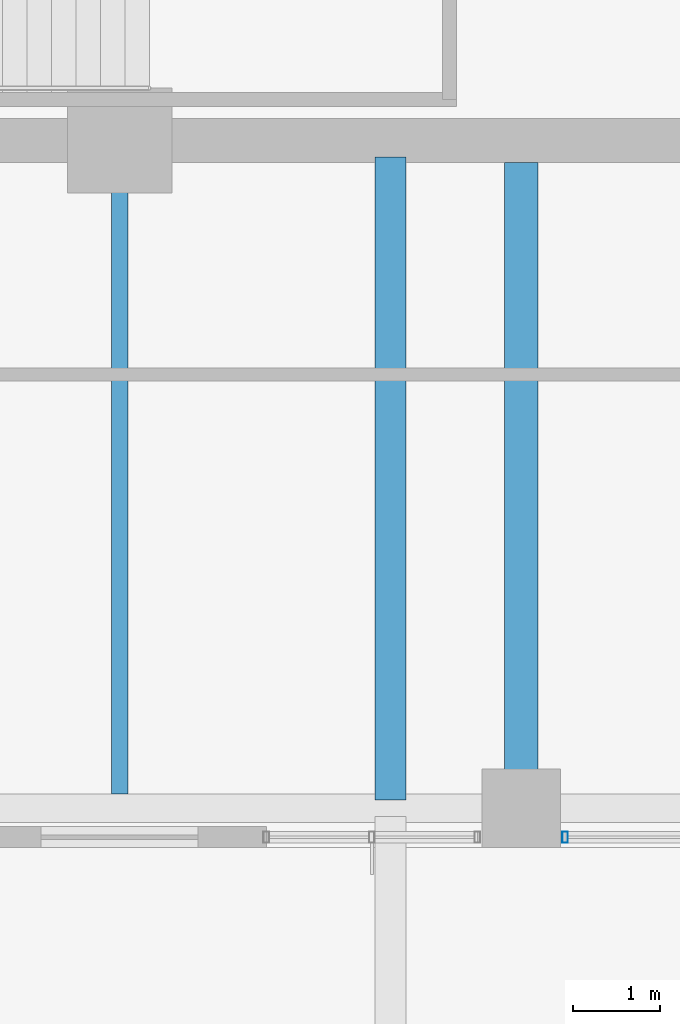
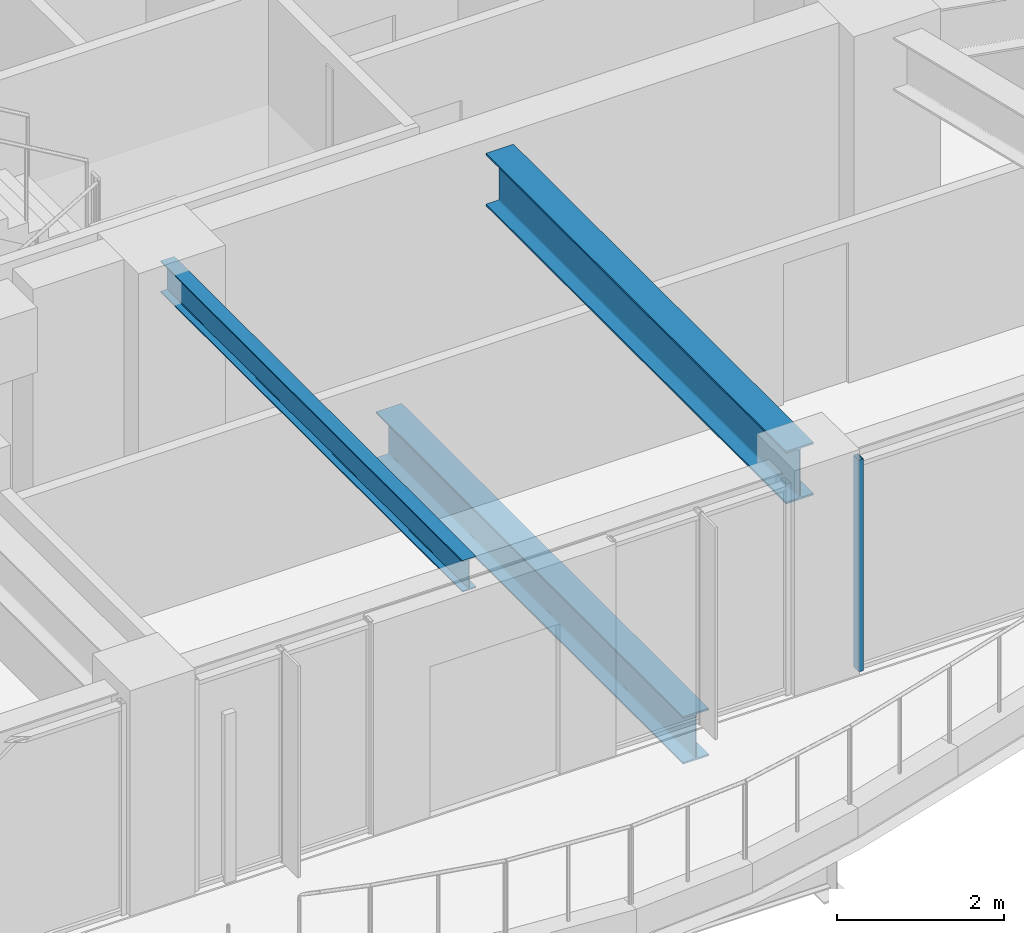
# One storey, part 7 of 31: 3 beams, 1 member, 1 element without a shape of its own.
"""IFC4 building model written with IfcOpenShell, lengths in metres."""

from ifc_helpers import new_model, si_unit, direction, frame, origin, origin_2d, place, context, subcontext, project, spatial, hollow_rectangle, i_section, extrude, material, material_profile, profile_set, type_object, element, aggregate, save


model = new_model("IFC4")

# Units and contexts
model_context = context("Model", 3, precision=1e-05, world=origin(), true_north=direction((0.0, 1.0)))
body_context = subcontext(model_context, "Body", "Model", "MODEL_VIEW")
ifc_project = project(units=[si_unit("LENGTHUNIT", "METRE"), si_unit("AREAUNIT", "SQUARE_METRE"), si_unit("VOLUMEUNIT", "CUBIC_METRE"), si_unit("PLANEANGLEUNIT", "RADIAN"), si_unit("MASSUNIT", "GRAM", prefix="KILO")], contexts=[model_context])

# Site, building, storey
site_placement = place(None, origin())
site = spatial("IfcSite", under=ifc_project, at=site_placement, CompositionType="ELEMENT")
building_placement = place(site_placement, origin())
building = spatial("IfcBuilding", under=site, at=building_placement, Name="Kolvaren Belvedere", CompositionType="ELEMENT")
storey_placement = place(building_placement, frame((0.0, 0.0, 131.60009765625)))
storey = spatial("IfcBuildingStorey", under=building, at=storey_placement, Name="L38", CompositionType="ELEMENT", Elevation=131.60009765625)

# Beams
ifc_material_1 = material(Name="Structural steel ASTM A992 Grade 50", Category="steel")
ifc_material_profile_1 = material_profile(ifc_material_1, i_section(OverallWidth=0.35498046875, OverallDepth=0.696044921875, WebThickness=0.015380859375, FlangeThickness=0.02490234375, FilletRadius=0.02197265625, at=origin_2d()), Name="W27X146")
ifc_profile_set_1 = profile_set([ifc_material_profile_1], Name="Structural steel ASTM A992 Grade 50")
beam_type_1 = type_object("IfcBeamType", Name="BM-GIRD-W27X146", PredefinedType="BEAM", material=ifc_profile_set_1)
beam_1_placement = place(storey_placement, frame((3.10009765625, -10.090087890625, -0.548095703125), z_axis=(0.0, -1.0, 0.0), x_axis=(1.0, 0.0, 0.0)))
element("IfcBeam", 1, at=beam_1_placement, inside=storey, type_object=beam_type_1, Name="L38 Balcony Interior Back-Span Girder BAL-S-2", PredefinedType="BEAM", context=body_context, shape_type="SweptSolid", body=[
    extrude(i_section(OverallWidth=0.35498046875, OverallDepth=0.696044921875, WebThickness=0.015380859375, FlangeThickness=0.02490234375, FilletRadius=0.02197265625, at=origin_2d()), origin(), (0.0, 0.0, 1.0), 7.364990234375),
])
ifc_material_2 = material(Name="Structural steel ASTM A992 Grade 50", Category="steel")
ifc_material_profile_2 = material_profile(ifc_material_2, i_section(OverallWidth=0.381103515625, OverallDepth=0.77294921875, WebThickness=0.0166015625, FlangeThickness=0.027099609375, FilletRadius=0.02392578125, at=origin_2d()), Name="W30X173")
ifc_profile_set_2 = profile_set([ifc_material_profile_2], Name="Structural steel ASTM A992 Grade 50")
beam_type_2 = type_object("IfcBeamType", Name="BM-GIRD-W30X173", PredefinedType="BEAM", material=ifc_profile_set_2)
beam_2_placement = place(storey_placement, frame((4.60009765625, -10.14990234375, 2.71337890625), z_axis=(0.0, -1.0, 0.0), x_axis=(1.0, 0.0, 0.0)))
element("IfcBeam", 2, at=beam_2_placement, inside=storey, type_object=beam_type_2, Name="L38 South Radial Girder P", PredefinedType="BEAM", context=body_context, shape_type="SweptSolid", body=[
    extrude(i_section(OverallWidth=0.381103515625, OverallDepth=0.77294921875, WebThickness=0.0166015625, FlangeThickness=0.027099609375, FilletRadius=0.02392578125, at=origin_2d()), origin(), (0.0, 0.0, 1.0), 7.197509765625),
])
ifc_material_3 = material(Name="Structural steel ASTM A992 Grade 50", Category="steel")
ifc_material_profile_3 = material_profile(ifc_material_3, i_section(OverallWidth=0.19091796875, OverallDepth=0.4599609375, WebThickness=0.010009765625, FlangeThickness=0.01611328125, FilletRadius=0.014892578125, at=origin_2d()), Name="W18X55")
ifc_profile_set_3 = profile_set([ifc_material_profile_3], Name="Structural steel ASTM A992 Grade 50")
beam_type_3 = type_object("IfcBeamType", Name="BM-JOIST-W18X55", PredefinedType="BEAM", material=ifc_profile_set_3)
beam_3_placement = place(storey_placement, frame((0.0, -10.14990234375, 2.869873046875), z_axis=(0.0, -1.0, 0.0), x_axis=(1.0, 0.0, 0.0)))
element("IfcBeam", 3, at=beam_3_placement, inside=storey, type_object=beam_type_3, Name="L38 South Centre Floor Beam", PredefinedType="BEAM", context=body_context, shape_type="SweptSolid", body=[
    extrude(i_section(OverallWidth=0.19091796875, OverallDepth=0.4599609375, WebThickness=0.010009765625, FlangeThickness=0.01611328125, FilletRadius=0.014892578125, at=origin_2d()), origin(), (0.0, 0.0, 1.0), 7.237548828125),
])

# Curtain wall, member
ifc_material_4 = material(Name="Anodised pale-metal aluminium AA 6063-T6", Category="aluminium")
curtain_wall_type = type_object("IfcCurtainWallType", Name="CW-Z3-WAIST", PredefinedType="NOTDEFINED", material=ifc_material_4)
curtain_wall_placement = place(storey_placement, origin())
curtain_wall = element("IfcCurtainWall", 4, at=curtain_wall_placement, inside=storey, type_object=curtain_wall_type, Name="L38 Unitised Curtain Wall FCW-L38-S1-B1", PredefinedType="NOTDEFINED")
ifc_material_5 = material(Name="Anodised pale-metal aluminium AA 6063-T6", Category="aluminium")
ifc_material_profile_4 = material_profile(ifc_material_5, hollow_rectangle(XDim=0.06494140625, YDim=0.1298828125, WallThickness=0.00390625, at=origin_2d()), Name="ALU-MUL-130X65")
ifc_profile_set_4 = profile_set([ifc_material_profile_4], Name="Anodised pale-metal aluminium AA 6063-T6")
member_type = type_object("IfcMemberType", Name="CW-MUL-130", PredefinedType="MULLION", material=ifc_profile_set_4)
member_placement = place(storey_placement, frame((5.1025390625, -17.8798828125, 0.0), z_axis=(0.0, 0.0, 1.0), x_axis=(1.0, 0.0, 0.0)))
member = element("IfcMember", 5, at=member_placement, type_object=member_type, Name="FCW-L38-S1-B1 Unitised Mullion 3", PredefinedType="MULLION", context=body_context, shape_type="SweptSolid", body=[
    extrude(hollow_rectangle(XDim=0.06494140625, YDim=0.1298828125, WallThickness=0.00390625, at=origin_2d()), origin(), (0.0, 0.0, 1.0), 3.099853515625),
])
aggregate(curtain_wall, [member])

save(model, "model.ifc")
